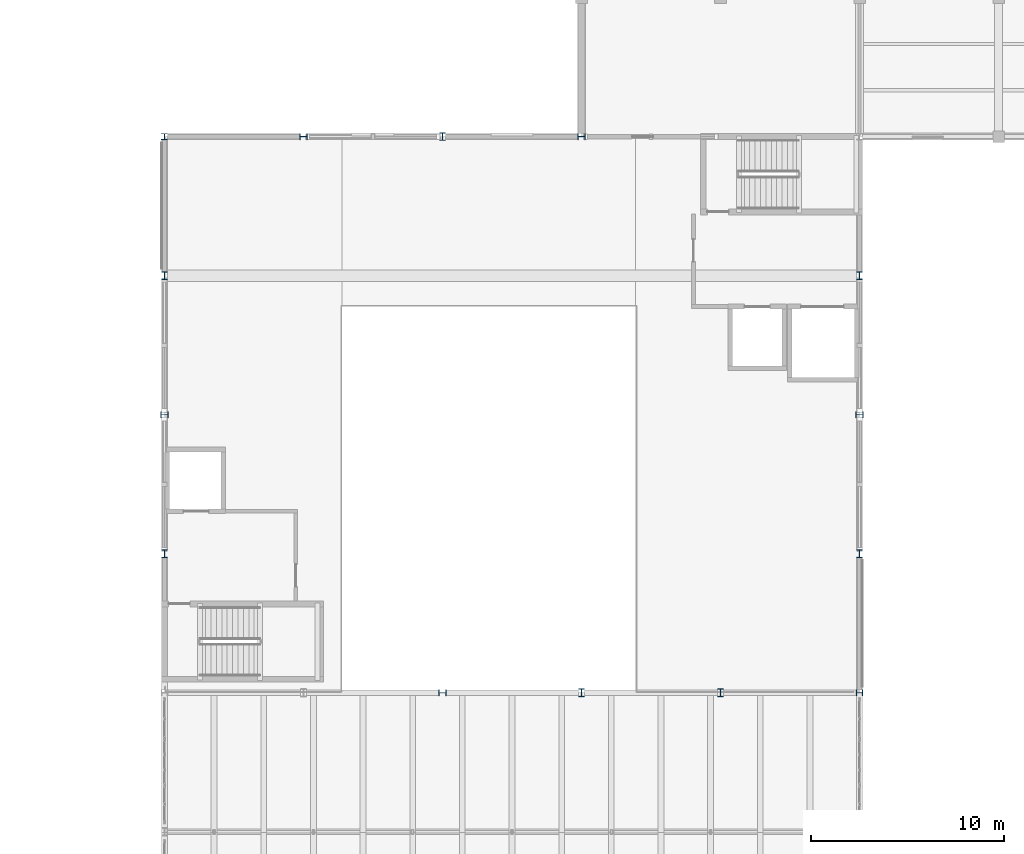
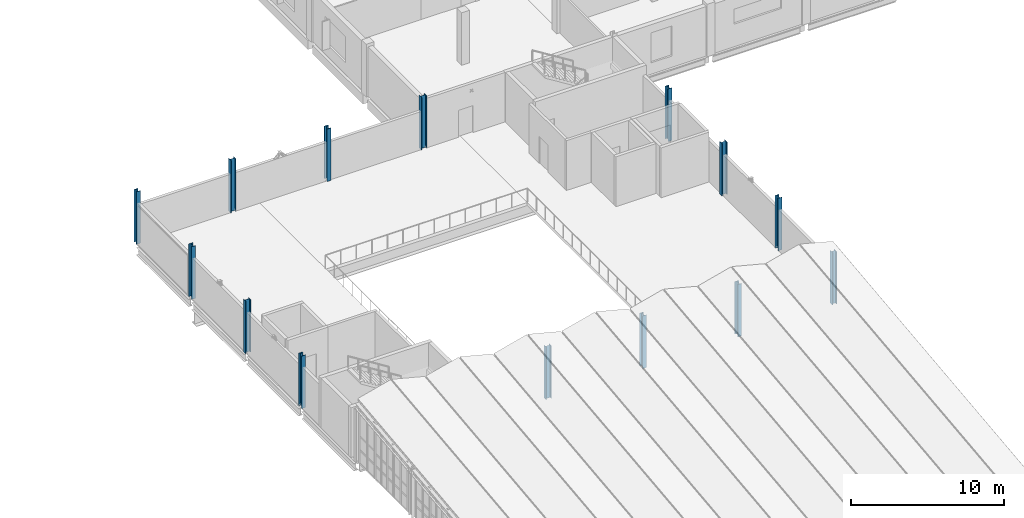
# One storey, part 2 of 48: 14 columns.
"""IFC4 building model written with IfcOpenShell, lengths in metres."""

from ifc_helpers import new_model, si_unit, direction, frame, origin, origin_2d, place, context, subcontext, project, spatial, i_section, extrude, material, material_profile, profile_set, type_object, element, save


model = new_model("IFC4")

# Units and contexts
model_context = context("Model", 3, precision=1e-05, world=origin(), true_north=direction((0.0, 1.0)))
body_context = subcontext(model_context, "Body", "Model", "MODEL_VIEW")
ifc_project = project(units=[si_unit("LENGTHUNIT", "METRE"), si_unit("AREAUNIT", "SQUARE_METRE"), si_unit("VOLUMEUNIT", "CUBIC_METRE"), si_unit("PLANEANGLEUNIT", "RADIAN"), si_unit("MASSUNIT", "GRAM", prefix="KILO"), si_unit("THERMODYNAMICTEMPERATUREUNIT", "KELVIN"), si_unit("POWERUNIT", "WATT")], contexts=[model_context])

# Site, building, storey
site_placement = place(None, origin())
site = spatial("IfcSite", under=ifc_project, at=site_placement, CompositionType="ELEMENT")
building_placement = place(site_placement, origin())
building = spatial("IfcBuilding", under=site, at=building_placement, Name="Kaldorven Railside Theatre", CompositionType="ELEMENT")
storey_placement = place(building_placement, frame((0.0, 0.0, 18.89990234375)))
storey = spatial("IfcBuildingStorey", under=building, at=storey_placement, Name="L04", CompositionType="ELEMENT", Elevation=18.89990234375)

# Columns
ifc_material = material(Name="Steel S355", Category="steel")
ifc_material_profile_1 = material_profile(ifc_material, i_section(OverallWidth=0.300048828125, OverallDepth=0.39990234375, WebThickness=0.013427734375, FlangeThickness=0.02392578125, at=origin_2d()), Name="HEB 400")
ifc_profile_set_1 = profile_set([ifc_material_profile_1], Name="Steel S355")
column_type_1 = type_object("IfcColumnType", Name="COL-HEB400", PredefinedType="COLUMN", material=ifc_profile_set_1)
for number, where, z_axis, x_axis, name in (
    (1, (101.60009765625, 84.0, 0.0), (0.0, 0.0, 1.0), (0.0, 1.0, 0.0), "L04 Column CG-L04-101-084"),
    (2, (108.800048828125, 84.0, 0.0), (0.0, 0.0, 1.0), (1.0, 0.0, 0.0), "L04 Column CG-L04-108-084"),
    (3, (116.0, 84.0, 0.0), (0.0, 0.0, 1.0), (1.0, 0.0, 0.0), "L04 Column CG-L04-116-084"),
    (4, (87.199951171875, 91.199951171875, 0.0), (0.0, 0.0, 1.0), (1.0, 0.0, 0.0), "L04 Column CG-L04-087-091"),
    (5, (123.199951171875, 91.199951171875, 0.0), (0.0, 0.0, 1.0), (1.0, 0.0, 0.0), "L04 Column CG-L04-123-091"),
    (6, (87.199951171875, 98.39990234375, 0.0), (0.0, 0.0, 1.0), (0.0, 1.0, 0.0), "L04 Column CG-L04-087-098"),
    (7, (123.199951171875, 98.39990234375, 0.0), (0.0, 0.0, 1.0), (0.0, 1.0, 0.0), "L04 Column CG-L04-123-098"),
    (8, (87.199951171875, 105.60009765625, 0.0), (0.0, 0.0, 1.0), (1.0, 0.0, 0.0), "L04 Column CG-L04-087-105"),
    (9, (123.199951171875, 105.60009765625, 0.0), (0.0, 0.0, 1.0), (1.0, 0.0, 0.0), "L04 Column CG-L04-123-105"),
    (10, (94.39990234375, 112.800048828125, 0.0), (0.0, 0.0, 1.0), (0.0, 1.0, 0.0), "L04 Column CG-L04-094-112"),
    (11, (101.60009765625, 112.800048828125, 0.0), (0.0, 0.0, 1.0), (1.0, 0.0, 0.0), "L04 Column CG-L04-101-112"),
    (12, (108.800048828125, 112.800048828125, 0.0), (0.0, 0.0, 1.0), (0.0, 1.0, 0.0), "L04 Column CG-L04-108-112"),
):
    element("IfcColumn", number, at=place(storey_placement, frame(where, z_axis=z_axis, x_axis=x_axis)), inside=storey, type_object=column_type_1, Name=name, PredefinedType="COLUMN", context=body_context, shape_type="SweptSolid", body=[
        extrude(i_section(OverallWidth=0.300048828125, OverallDepth=0.39990234375, WebThickness=0.013427734375, FlangeThickness=0.02392578125, at=origin_2d()), origin(), (0.0, 0.0, 1.0), 4.2001953125),
    ])
ifc_material_profile_2 = material_profile(ifc_material, i_section(OverallWidth=0.30908203125, OverallDepth=0.320556640625, WebThickness=0.013916015625, FlangeThickness=0.021728515625, at=origin_2d()), Name="UC 305x305x137")
ifc_profile_set_2 = profile_set([ifc_material_profile_2], Name="Steel S355")
column_type_2 = type_object("IfcColumnType", Name="COL-UC305", PredefinedType="COLUMN", material=ifc_profile_set_2)
for number, where, z_axis, x_axis, name in (
    (13, (123.199951171875, 84.0, 0.0), (0.0, 0.0, 1.0), (0.0, 1.0, 0.0), "L04 Column CG-L04-123-084"),
    (14, (87.199951171875, 112.800048828125, 0.0), (0.0, 0.0, 1.0), (1.0, 0.0, 0.0), "L04 Column CG-L04-087-112"),
):
    element("IfcColumn", number, at=place(storey_placement, frame(where, z_axis=z_axis, x_axis=x_axis)), inside=storey, type_object=column_type_2, Name=name, PredefinedType="COLUMN", context=body_context, shape_type="SweptSolid", body=[
        extrude(i_section(OverallWidth=0.30908203125, OverallDepth=0.320556640625, WebThickness=0.013916015625, FlangeThickness=0.021728515625, at=origin_2d()), origin(), (0.0, 0.0, 1.0), 4.2001953125),
    ])

save(model, "model.ifc")
